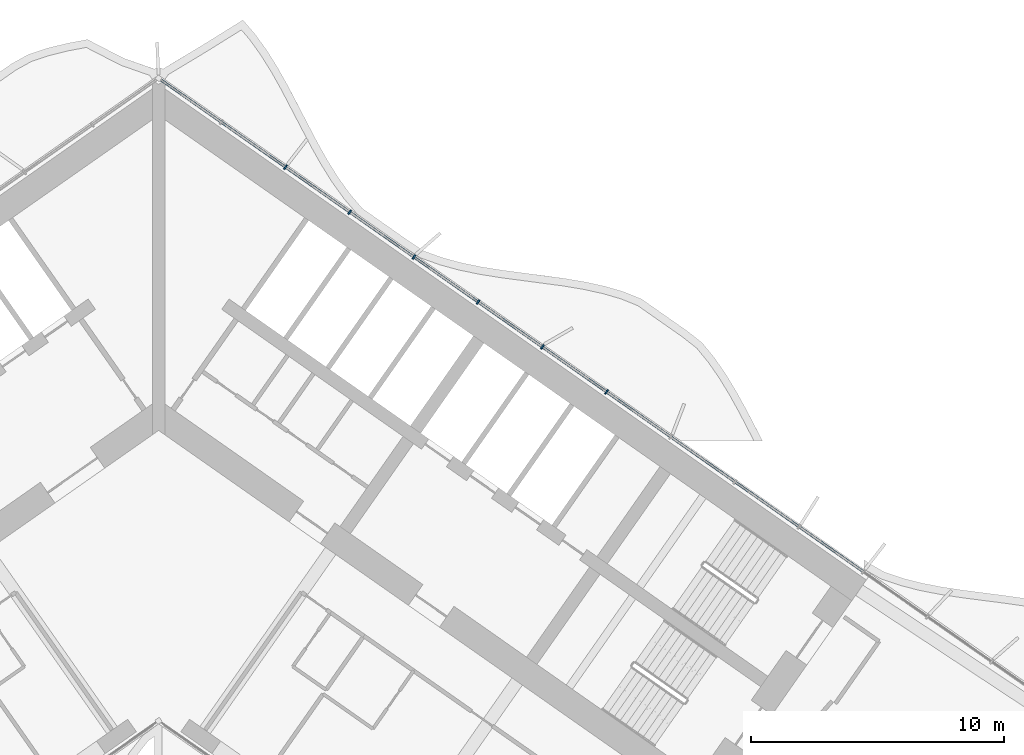
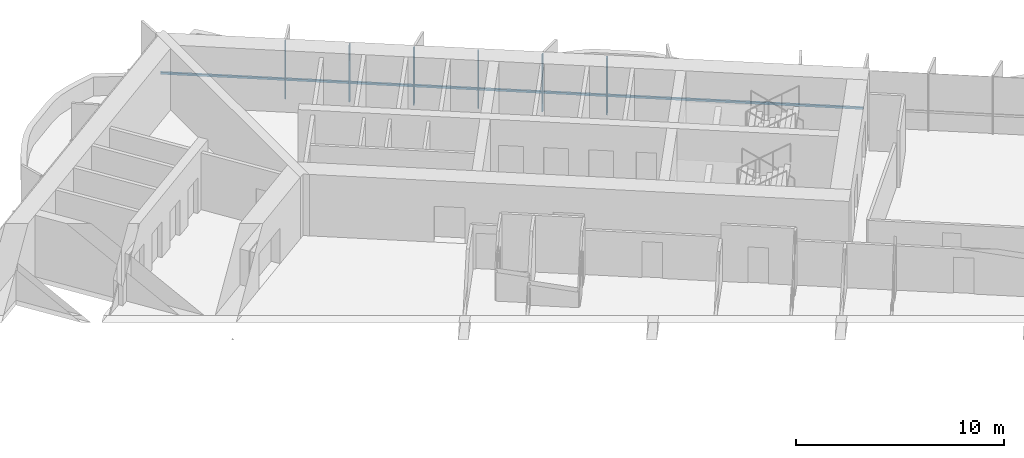
# One storey, part 8 of 25: 7 members, 1 element without a shape of its own.
"""IFC4 building model written with IfcOpenShell, lengths in metres."""

from ifc_helpers import new_model, si_unit, direction, frame, origin, origin_2d, place, context, subcontext, project, spatial, rectangle, extrude, material, material_profile, profile_set, type_object, element, aggregate, save


model = new_model("IFC4")

# Units and contexts
model_context = context("Model", 3, precision=1e-05, world=origin(), true_north=direction((0.0, 1.0)))
body_context = subcontext(model_context, "Body", "Model", "MODEL_VIEW")
ifc_project = project(units=[si_unit("LENGTHUNIT", "METRE"), si_unit("AREAUNIT", "SQUARE_METRE"), si_unit("VOLUMEUNIT", "CUBIC_METRE"), si_unit("PLANEANGLEUNIT", "RADIAN"), si_unit("MASSUNIT", "GRAM", prefix="KILO")], contexts=[model_context])

# Site, building, storey
site_placement = place(None, origin())
site = spatial("IfcSite", under=ifc_project, at=site_placement, CompositionType="ELEMENT")
building_placement = place(site_placement, origin())
building = spatial("IfcBuilding", under=site, at=building_placement, Name="Tel Ilan Convention Tower", CompositionType="ELEMENT")
storey_placement = place(building_placement, frame((0.0, 0.0, 76.10009765625)))
storey = spatial("IfcBuildingStorey", under=building, at=storey_placement, Name="L14", CompositionType="ELEMENT", Elevation=76.10009765625)

# Curtain wall, members
ifc_material_1 = material(Name="Aluminium, bronze anodised", Category="aluminium")
curtain_wall_type = type_object("IfcCurtainWallType", Name="CW2 STICK CURTAIN WALL, SPANDREL PANELS", PredefinedType="NOTDEFINED", material=ifc_material_1)
curtain_wall_placement = place(storey_placement, origin())
curtain_wall = element("IfcCurtainWall", 1, at=curtain_wall_placement, inside=storey, type_object=curtain_wall_type, Name="Curtain wall CW2-14.05", PredefinedType="NOTDEFINED")
ifc_material_2 = material(Name="Aluminium, bronze anodised", Category="aluminium")
ifc_material_profile_1 = material_profile(ifc_material_2, rectangle(XDim=0.06005859375, YDim=0.199951171875, at=origin_2d()), Name="CW MULLION 60x200")
ifc_profile_set_1 = profile_set([ifc_material_profile_1], Name="Aluminium, bronze anodised")
member_type_1 = type_object("IfcMemberType", Name="CW MULLION 60x200", PredefinedType="MULLION", material=ifc_profile_set_1)
member_1_placement = place(storey_placement, frame((17.701171875, 0.301513671875, 0.0), z_axis=(0.0, 0.0, 1.0), x_axis=(-0.819152044289, 0.573576436351, 0.0)))
member_1 = element("IfcMember", 2, at=member_1_placement, type_object=member_type_1, Name="Mullion", PredefinedType="MULLION", context=body_context, shape_type="SweptSolid", body=[
    extrude(rectangle(XDim=0.06005859375, YDim=0.199951171875, at=origin_2d()), origin(), (0.0, 0.0, 1.0), 3.31982421875),
])
member_2_placement = place(storey_placement, frame((15.1640625, 2.077880859375, 0.0), z_axis=(0.0, 0.0, 1.0), x_axis=(-0.819152044289, 0.573576436351, 0.0)))
member_2 = element("IfcMember", 3, at=member_2_placement, type_object=member_type_1, Name="Mullion", PredefinedType="MULLION", context=body_context, shape_type="SweptSolid", body=[
    extrude(rectangle(XDim=0.06005859375, YDim=0.199951171875, at=origin_2d()), origin(), (0.0, 0.0, 1.0), 3.31982421875),
])
member_3_placement = place(storey_placement, frame((12.627197265625, 3.854248046875, 0.0), z_axis=(0.0, 0.0, 1.0), x_axis=(-0.819152044289, 0.573576436351, 0.0)))
member_3 = element("IfcMember", 4, at=member_3_placement, type_object=member_type_1, Name="Mullion", PredefinedType="MULLION", context=body_context, shape_type="SweptSolid", body=[
    extrude(rectangle(XDim=0.06005859375, YDim=0.199951171875, at=origin_2d()), origin(), (0.0, 0.0, 1.0), 3.31982421875),
])
member_4_placement = place(storey_placement, frame((10.09033203125, 5.630615234375, 0.0), z_axis=(0.0, 0.0, 1.0), x_axis=(-0.819152044289, 0.573576436351, 0.0)))
member_4 = element("IfcMember", 5, at=member_4_placement, type_object=member_type_1, Name="Mullion", PredefinedType="MULLION", context=body_context, shape_type="SweptSolid", body=[
    extrude(rectangle(XDim=0.06005859375, YDim=0.199951171875, at=origin_2d()), origin(), (0.0, 0.0, 1.0), 3.31982421875),
])
member_5_placement = place(storey_placement, frame((7.553466796875, 7.406982421875, 0.0), z_axis=(0.0, 0.0, 1.0), x_axis=(-0.819152044289, 0.573576436351, 0.0)))
member_5 = element("IfcMember", 6, at=member_5_placement, type_object=member_type_1, Name="Mullion", PredefinedType="MULLION", context=body_context, shape_type="SweptSolid", body=[
    extrude(rectangle(XDim=0.06005859375, YDim=0.199951171875, at=origin_2d()), origin(), (0.0, 0.0, 1.0), 3.31982421875),
])
member_6_placement = place(storey_placement, frame((5.0166015625, 9.18359375, 0.0), z_axis=(0.0, 0.0, 1.0), x_axis=(-0.819152044289, 0.573576436351, 0.0)))
member_6 = element("IfcMember", 7, at=member_6_placement, type_object=member_type_1, Name="Mullion", PredefinedType="MULLION", context=body_context, shape_type="SweptSolid", body=[
    extrude(rectangle(XDim=0.06005859375, YDim=0.199951171875, at=origin_2d()), origin(), (0.0, 0.0, 1.0), 3.31982421875),
])
ifc_material_3 = material(Name="Aluminium, bronze anodised", Category="aluminium")
ifc_material_profile_2 = material_profile(ifc_material_3, rectangle(XDim=0.10009765625, YDim=0.1201171875, at=origin_2d()), Name="CW TRANSOM 100x120")
ifc_profile_set_2 = profile_set([ifc_material_profile_2], Name="Aluminium, bronze anodised")
member_type_2 = type_object("IfcMemberType", Name="CW TRANSOM 100x120", PredefinedType="USERDEFINED", material=ifc_profile_set_2)
member_7_placement = place(storey_placement, frame((27.82421875, -6.78662109375, 1.099853515625), z_axis=(-0.819151916241, 0.573576619222, 0.0), x_axis=(-0.573576619222, -0.819151916241, 0.0)))
member_7 = element("IfcMember", 8, at=member_7_placement, type_object=member_type_2, Name="Transom", ObjectType="TRANSOM", PredefinedType="USERDEFINED", context=body_context, shape_type="SweptSolid", body=[
    extrude(rectangle(XDim=0.10009765625, YDim=0.1201171875, at=origin_2d()), origin(), (0.0, 0.0, 1.0), 33.837158203125),
])
aggregate(curtain_wall, [member_1, member_2, member_3, member_4, member_5, member_6, member_7])

save(model, "model.ifc")
